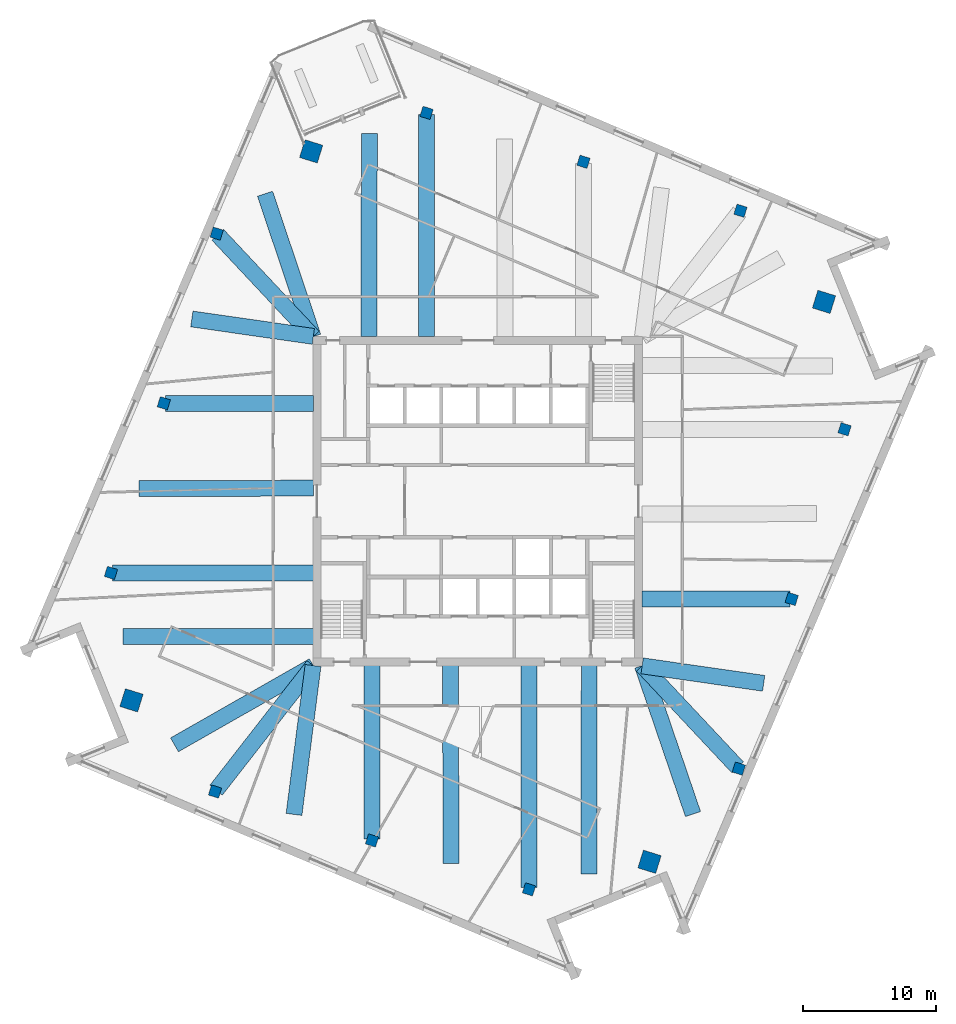
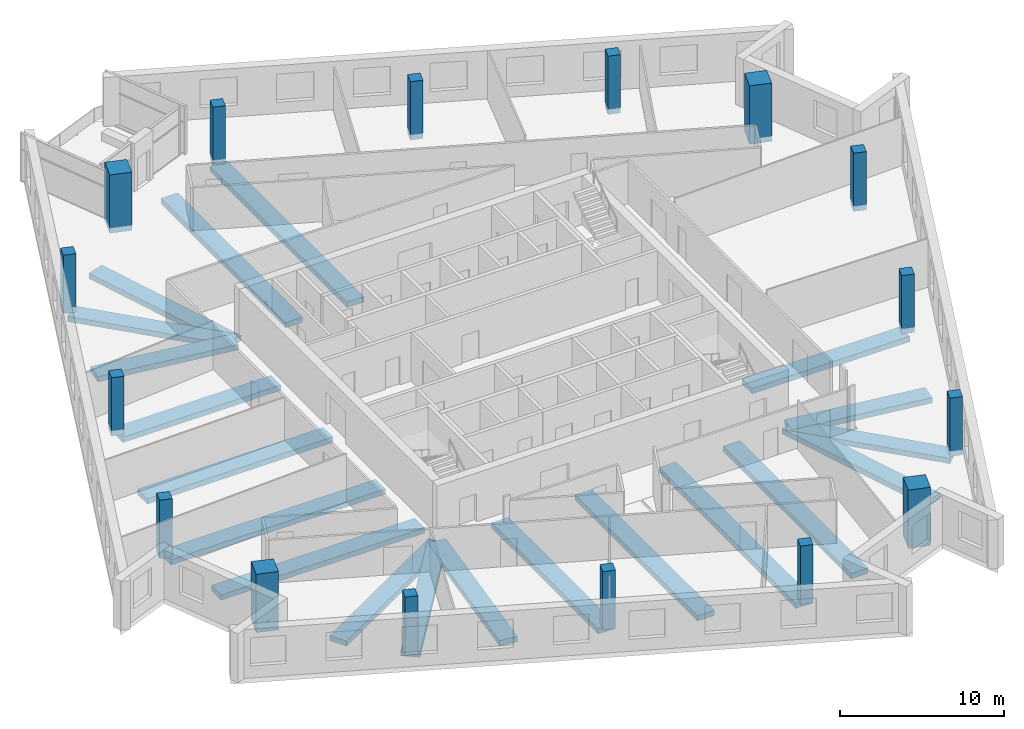
# One storey, part 1 of 13: 20 beams, 16 columns.
"""IFC4 building model written with IfcOpenShell, lengths in metres."""

from ifc_helpers import new_model, si_unit, direction, frame, origin, origin_2d, place, context, subcontext, project, spatial, rectangle, extrude, material, material_profile, profile_set, type_object, element, save


model = new_model("IFC4")

# Units and contexts
model_context = context("Model", 3, precision=1e-05, world=origin(), true_north=direction((0.0, 1.0)))
body_context = subcontext(model_context, "Body", "Model", "MODEL_VIEW")
ifc_project = project(units=[si_unit("LENGTHUNIT", "METRE"), si_unit("AREAUNIT", "SQUARE_METRE"), si_unit("VOLUMEUNIT", "CUBIC_METRE"), si_unit("PLANEANGLEUNIT", "RADIAN"), si_unit("MASSUNIT", "GRAM", prefix="KILO")], contexts=[model_context])

# Site, building, storey
site_placement = place(None, origin())
site = spatial("IfcSite", under=ifc_project, at=site_placement, CompositionType="ELEMENT")
building_placement = place(site_placement, origin())
building = spatial("IfcBuilding", under=site, at=building_placement, Name="Dilmun Exchange Tower", CompositionType="ELEMENT")
storey_placement = place(building_placement, frame((0.0, 0.0, 296.5)))
storey = spatial("IfcBuildingStorey", under=building, at=storey_placement, Name="L70", CompositionType="ELEMENT", Elevation=296.5)

# Columns
ifc_material_1 = material(Name="Concrete C50/60", Category="concrete")
ifc_material_profile_1 = material_profile(ifc_material_1, rectangle(XDim=1.39990234375, YDim=1.39990234375, at=origin_2d()), Name="1400 x 1400")
ifc_profile_set_1 = profile_set([ifc_material_profile_1], Name="Concrete C50/60")
column_type_1 = type_object("IfcColumnType", Name="RC mega column 1400 x 1400 C50/60", PredefinedType="COLUMN", material=ifc_profile_set_1)
for number, where, z_axis, x_axis, name in (
    (1, (-12.537109375, 26.322021484375, -0.35009765625), (0.0, 0.0, 1.0), (0.297503182032, 0.954720826567, 0.0), "Mega column M1"),
    (2, (-26.06005859375, -14.9951171875, -0.35009765625), (0.0, 0.0, 1.0), (0.297503182032, 0.954720826567, 0.0), "Mega column M2"),
    (3, (12.928955078125, -27.14404296875, -0.35009765625), (0.0, 0.0, 1.0), (0.297503182032, 0.954720826567, 0.0), "Mega column M3"),
    (4, (26.06005859375, 14.9951171875, -0.35009765625), (0.0, 0.0, 1.0), (0.297503182032, 0.954720826567, 0.0), "Mega column M4"),
):
    element("IfcColumn", number, at=place(storey_placement, frame(where, z_axis=z_axis, x_axis=x_axis)), inside=storey, type_object=column_type_1, Name=name, PredefinedType="COLUMN", context=body_context, shape_type="SweptSolid", body=[
        extrude(rectangle(XDim=1.39990234375, YDim=1.39990234375, at=origin_2d()), origin(), (0.0, 0.0, 1.0), 4.35009765625),
    ])
ifc_material_profile_2 = material_profile(ifc_material_1, rectangle(XDim=0.800048828125, YDim=0.800048828125, at=origin_2d()), Name="800 x 800")
ifc_profile_set_2 = profile_set([ifc_material_profile_2], Name="Concrete C50/60")
column_type_2 = type_object("IfcColumnType", Name="RC ring column 800 x 800 C50/60", PredefinedType="COLUMN", material=ifc_profile_set_2)
for number, where, z_axis, x_axis, name in (
    (5, (-19.64990234375, 20.133056640625, -0.35009765625), (0.0, 0.0, 1.0), (0.297503182032, 0.954720826567, 0.0), "Ring column R01"),
    (6, (-23.62890625, 7.363037109375, -0.35009765625), (0.0, 0.0, 1.0), (0.297503182032, 0.954720826567, 0.0), "Ring column R02"),
    (7, (-27.60791015625, -5.406005859375, -0.35009765625), (0.0, 0.0, 1.0), (0.297503182032, 0.954720826567, 0.0), "Ring column R03"),
    (8, (-19.77294921875, -21.85693359375, -0.35009765625), (0.0, 0.0, 1.0), (0.297503182032, 0.954720826567, 0.0), "Ring column R04"),
    (9, (-7.9580078125, -25.5390625, -0.35009765625), (0.0, 0.0, 1.0), (0.297503182032, 0.954720826567, 0.0), "Ring column R05"),
    (10, (3.85595703125, -29.219970703125, -0.35009765625), (0.0, 0.0, 1.0), (0.297503182032, 0.954720826567, 0.0), "Ring column R06"),
    (11, (19.64990234375, -20.133056640625, -0.35009765625), (0.0, 0.0, 1.0), (0.297503182032, 0.954720826567, 0.0), "Ring column R07"),
    (12, (23.62890625, -7.363037109375, -0.35009765625), (0.0, 0.0, 1.0), (0.297503182032, 0.954720826567, 0.0), "Ring column R08"),
    (13, (27.60791015625, 5.406005859375, -0.35009765625), (0.0, 0.0, 1.0), (0.297503182032, 0.954720826567, 0.0), "Ring column R09"),
    (14, (19.77294921875, 21.85693359375, -0.35009765625), (0.0, 0.0, 1.0), (0.297503182032, 0.954720826567, 0.0), "Ring column R10"),
    (15, (7.9580078125, 25.5390625, -0.35009765625), (0.0, 0.0, 1.0), (0.297503182032, 0.954720826567, 0.0), "Ring column R11"),
    (16, (-3.85595703125, 29.219970703125, -0.35009765625), (0.0, 0.0, 1.0), (0.297503182032, 0.954720826567, 0.0), "Ring column R12"),
):
    element("IfcColumn", number, at=place(storey_placement, frame(where, z_axis=z_axis, x_axis=x_axis)), inside=storey, type_object=column_type_2, Name=name, PredefinedType="COLUMN", context=body_context, shape_type="SweptSolid", body=[
        extrude(rectangle(XDim=0.800048828125, YDim=0.800048828125, at=origin_2d()), origin(), (0.0, 0.0, 1.0), 4.35009765625),
    ])

# Beams
ifc_material_2 = material(Name="Concrete C40/50", Category="concrete")
ifc_material_profile_3 = material_profile(ifc_material_2, rectangle(XDim=1.199951171875, YDim=0.39990234375, at=origin_2d()), Name="1200 x 400")
ifc_profile_set_3 = profile_set([ifc_material_profile_3], Name="Concrete C40/50")
beam_type = type_object("IfcBeamType", Name="RC band beam 1200 x 400 C40/50", PredefinedType="BEAM", material=ifc_profile_set_3)
beam_1_placement = place(storey_placement, frame((-19.564697265625, 20.042236328125, -0.64990234375), z_axis=(0.683946541674, -0.729532129609, 0.0), x_axis=(0.729532129609, 0.683946541674, 0.0)))
element("IfcBeam", 17, at=beam_1_placement, inside=storey, type_object=beam_type, Name="Band beam 1", PredefinedType="BEAM", context=body_context, shape_type="SweptSolid", body=[
    extrude(rectangle(XDim=1.199951171875, YDim=0.39990234375, at=origin_2d()), origin(), (0.0, 0.0, 1.0), 10.50244140625),
])
beam_2_placement = place(storey_placement, frame((-23.50439453125, 7.363037109375, -0.64990234375), z_axis=(1.0, 0.0, 0.0), x_axis=(0.0, 1.0, 0.0)))
element("IfcBeam", 18, at=beam_2_placement, inside=storey, type_object=beam_type, Name="Band beam 2", PredefinedType="BEAM", context=body_context, shape_type="SweptSolid", body=[
    extrude(rectangle(XDim=1.199951171875, YDim=0.39990234375, at=origin_2d()), origin(), (0.0, 0.0, 1.0), 11.13134765625),
])
beam_3_placement = place(storey_placement, frame((-27.4833984375, -5.406005859375, -0.64990234375), z_axis=(1.0, 0.0, 0.0), x_axis=(0.0, 1.0, 0.0)))
element("IfcBeam", 19, at=beam_3_placement, inside=storey, type_object=beam_type, Name="Band beam 3", PredefinedType="BEAM", context=body_context, shape_type="SweptSolid", body=[
    extrude(rectangle(XDim=1.199951171875, YDim=0.39990234375, at=origin_2d()), origin(), (0.0, 0.0, 1.0), 15.1103515625),
])
beam_4_placement = place(storey_placement, frame((-19.696533203125, -21.7587890625, -0.64990234375), z_axis=(0.614861030741, 0.788635475283, 0.0), x_axis=(-0.788635475283, 0.614861030741, 0.0)))
element("IfcBeam", 20, at=beam_4_placement, inside=storey, type_object=beam_type, Name="Band beam 4", PredefinedType="BEAM", context=body_context, shape_type="SweptSolid", body=[
    extrude(rectangle(XDim=1.199951171875, YDim=0.39990234375, at=origin_2d()), origin(), (0.0, 0.0, 1.0), 11.89404296875),
])
beam_5_placement = place(storey_placement, frame((-7.9580078125, -25.41455078125, -0.64990234375), z_axis=(0.0, 1.0, 0.0), x_axis=(-1.0, 0.0, 0.0)))
element("IfcBeam", 21, at=beam_5_placement, inside=storey, type_object=beam_type, Name="Band beam 5", PredefinedType="BEAM", context=body_context, shape_type="SweptSolid", body=[
    extrude(rectangle(XDim=1.199951171875, YDim=0.39990234375, at=origin_2d()), origin(), (0.0, 0.0, 1.0), 13.04150390625),
])
beam_6_placement = place(storey_placement, frame((3.85595703125, -29.095458984375, -0.64990234375), z_axis=(0.0, 1.0, 0.0), x_axis=(-1.0, 0.0, 0.0)))
element("IfcBeam", 22, at=beam_6_placement, inside=storey, type_object=beam_type, Name="Band beam 6", PredefinedType="BEAM", context=body_context, shape_type="SweptSolid", body=[
    extrude(rectangle(XDim=1.199951171875, YDim=0.39990234375, at=origin_2d()), origin(), (0.0, 0.0, 1.0), 16.722412109375),
])
beam_7_placement = place(storey_placement, frame((19.564697265625, -20.042236328125, -0.64990234375), z_axis=(-0.683946541674, 0.729532129609, 0.0), x_axis=(-0.729532129609, -0.683946541674, 0.0)))
element("IfcBeam", 23, at=beam_7_placement, inside=storey, type_object=beam_type, Name="Band beam 7", PredefinedType="BEAM", context=body_context, shape_type="SweptSolid", body=[
    extrude(rectangle(XDim=1.199951171875, YDim=0.39990234375, at=origin_2d()), origin(), (0.0, 0.0, 1.0), 10.50244140625),
])
beam_8_placement = place(storey_placement, frame((23.50439453125, -7.363037109375, -0.64990234375), z_axis=(-1.0, 0.0, 0.0), x_axis=(0.0, -1.0, 0.0)))
element("IfcBeam", 24, at=beam_8_placement, inside=storey, type_object=beam_type, Name="Band beam 8", PredefinedType="BEAM", context=body_context, shape_type="SweptSolid", body=[
    extrude(rectangle(XDim=1.199951171875, YDim=0.39990234375, at=origin_2d()), origin(), (0.0, 0.0, 1.0), 11.13134765625),
])
beam_9_placement = place(storey_placement, frame((-3.85595703125, 29.095458984375, -0.64990234375), z_axis=(0.0, -1.0, 0.0), x_axis=(1.0, 0.0, 0.0)))
element("IfcBeam", 25, at=beam_9_placement, inside=storey, type_object=beam_type, Name="Band beam 12", PredefinedType="BEAM", context=body_context, shape_type="SweptSolid", body=[
    extrude(rectangle(XDim=1.199951171875, YDim=0.39990234375, at=origin_2d()), origin(), (0.0, 0.0, 1.0), 16.722412109375),
])
beam_10_placement = place(storey_placement, frame((-16.01171875, 23.133544921875, -0.64990234375), z_axis=(0.318923433264, -0.947780482873, 0.0), x_axis=(0.947780482873, 0.318923433264, 0.0)))
element("IfcBeam", 26, at=beam_10_placement, inside=storey, type_object=beam_type, Name="Band beam 13", PredefinedType="BEAM", context=body_context, shape_type="SweptSolid", body=[
    extrude(rectangle(XDim=1.199951171875, YDim=0.39990234375, at=origin_2d()), origin(), (0.0, 0.0, 1.0), 11.351806640625),
])
beam_11_placement = place(storey_placement, frame((-21.5205078125, 13.7109375, -0.64990234375), z_axis=(0.98982494477, -0.142290473017, 0.0), x_axis=(0.142290473017, 0.98982494477, 0.0)))
element("IfcBeam", 27, at=beam_11_placement, inside=storey, type_object=beam_type, Name="Band beam 14", PredefinedType="BEAM", context=body_context, shape_type="SweptSolid", body=[
    extrude(rectangle(XDim=1.199951171875, YDim=0.39990234375, at=origin_2d()), origin(), (0.0, 0.0, 1.0), 9.2412109375),
])
beam_12_placement = place(storey_placement, frame((-25.49951171875, 0.94140625, -0.64990234375), z_axis=(0.999996003874, 0.002827054134, 0.0), x_axis=(-0.002827054134, 0.999996003874, 0.0)))
element("IfcBeam", 28, at=beam_12_placement, inside=storey, type_object=beam_type, Name="Band beam 15", PredefinedType="BEAM", context=body_context, shape_type="SweptSolid", body=[
    extrude(rectangle(XDim=1.199951171875, YDim=0.39990234375, at=origin_2d()), origin(), (0.0, 0.0, 1.0), 13.12646484375),
])
beam_13_placement = place(storey_placement, frame((-26.711181640625, -10.1806640625, -0.64990234375), z_axis=(0.999999048882, -0.001379215089, 0.0), x_axis=(0.001379215089, 0.999999048882, 0.0)))
element("IfcBeam", 29, at=beam_13_placement, inside=storey, type_object=beam_type, Name="Band beam 16", PredefinedType="BEAM", context=body_context, shape_type="SweptSolid", body=[
    extrude(rectangle(XDim=1.199951171875, YDim=0.39990234375, at=origin_2d()), origin(), (0.0, 0.0, 1.0), 14.338134765625),
])
beam_14_placement = place(storey_placement, frame((-22.82470703125, -18.341796875, -0.64990234375), z_axis=(0.868787314091, 0.49518542272, 0.0), x_axis=(-0.49518542272, 0.868787314091, 0.0)))
element("IfcBeam", 30, at=beam_14_placement, inside=storey, type_object=beam_type, Name="Band beam 17", PredefinedType="BEAM", context=body_context, shape_type="SweptSolid", body=[
    extrude(rectangle(XDim=1.199951171875, YDim=0.39990234375, at=origin_2d()), origin(), (0.0, 0.0, 1.0), 12.02587890625),
])
beam_15_placement = place(storey_placement, frame((-13.82861328125, -23.5791015625, -0.64990234375), z_axis=(0.126771236768, 0.991931980293, 0.0), x_axis=(-0.991931980293, 0.126771236768, 0.0)))
element("IfcBeam", 31, at=beam_15_placement, inside=storey, type_object=beam_type, Name="Band beam 18", PredefinedType="BEAM", context=body_context, shape_type="SweptSolid", body=[
    extrude(rectangle(XDim=1.199951171875, YDim=0.39990234375, at=origin_2d()), origin(), (0.0, 0.0, 1.0), 11.296875),
])
beam_16_placement = place(storey_placement, frame((-2.013916015625, -27.260498046875, -0.64990234375), z_axis=(-0.002492653664, 0.999996893334, 0.0), x_axis=(-0.999996893334, -0.002492653664, 0.0)))
element("IfcBeam", 32, at=beam_16_placement, inside=storey, type_object=beam_type, Name="Band beam 19", PredefinedType="BEAM", context=body_context, shape_type="SweptSolid", body=[
    extrude(rectangle(XDim=1.199951171875, YDim=0.39990234375, at=origin_2d()), origin(), (0.0, 0.0, 1.0), 14.887451171875),
])
beam_17_placement = place(storey_placement, frame((8.36474609375, -28.060546875, -0.64990234375), z_axis=(0.001774150594, 0.999998426194, 0.0), x_axis=(-0.999998426194, 0.001774150594, 0.0)))
element("IfcBeam", 33, at=beam_17_placement, inside=storey, type_object=beam_type, Name="Band beam 20", PredefinedType="BEAM", context=body_context, shape_type="SweptSolid", body=[
    extrude(rectangle(XDim=1.199951171875, YDim=0.39990234375, at=origin_2d()), origin(), (0.0, 0.0, 1.0), 15.6875),
])
beam_18_placement = place(storey_placement, frame((16.19970703125, -23.55224609375, -0.64990234375), z_axis=(-0.322522380726, 0.946561838408, 0.0), x_axis=(-0.946561838408, -0.322522380726, 0.0)))
element("IfcBeam", 34, at=beam_18_placement, inside=storey, type_object=beam_type, Name="Band beam 21", PredefinedType="BEAM", context=body_context, shape_type="SweptSolid", body=[
    extrude(rectangle(XDim=1.199951171875, YDim=0.39990234375, at=origin_2d()), origin(), (0.0, 0.0, 1.0), 11.808837890625),
])
beam_19_placement = place(storey_placement, frame((21.5205078125, -13.7109375, -0.64990234375), z_axis=(-0.98982494477, 0.142290473017, 0.0), x_axis=(-0.142290473017, -0.98982494477, 0.0)))
element("IfcBeam", 35, at=beam_19_placement, inside=storey, type_object=beam_type, Name="Band beam 22", PredefinedType="BEAM", context=body_context, shape_type="SweptSolid", body=[
    extrude(rectangle(XDim=1.199951171875, YDim=0.39990234375, at=origin_2d()), origin(), (0.0, 0.0, 1.0), 9.2412109375),
])
beam_20_placement = place(storey_placement, frame((-8.156982421875, 27.65283203125, -0.64990234375), z_axis=(-0.002588429638, -0.99999665001, 0.0), x_axis=(0.99999665001, -0.002588429638, 0.0)))
element("IfcBeam", 36, at=beam_20_placement, inside=storey, type_object=beam_type, Name="Band beam 28", PredefinedType="BEAM", context=body_context, shape_type="SweptSolid", body=[
    extrude(rectangle(XDim=1.199951171875, YDim=0.39990234375, at=origin_2d()), origin(), (0.0, 0.0, 1.0), 15.27978515625),
])

save(model, "model.ifc")
